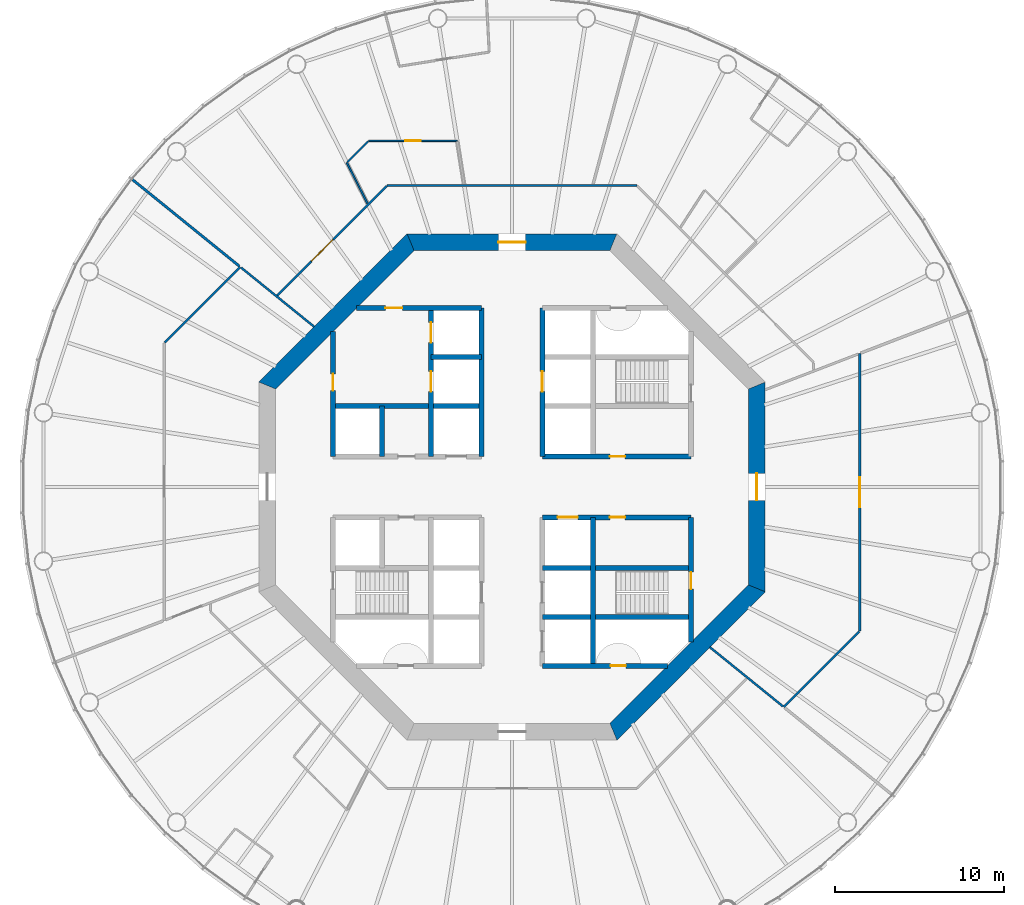
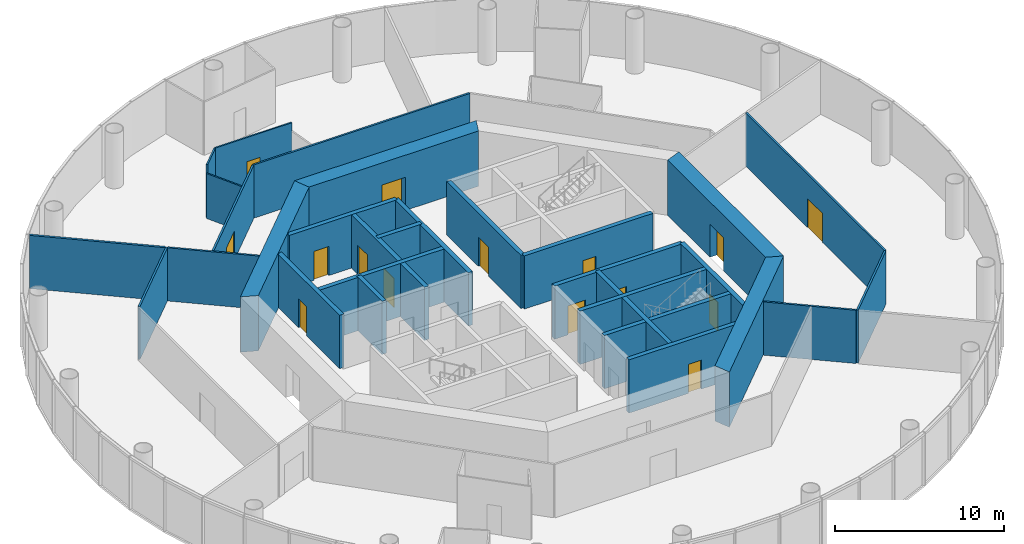
# One storey, part 4 of 12: 30 walls, 15 doors, 15 openings.
"""IFC4 building model written with IfcOpenShell, lengths in metres."""

from ifc_helpers import new_model, si_unit, direction, frame, frame_2d, origin, place, context, subcontext, project, spatial, polyline, rectangle, outline, extrude, material, layer, layer_set, type_object, element, fill, save


model = new_model("IFC4")

# Units and contexts
model_context = context("Model", 3, precision=1e-05, world=origin(), true_north=direction((0.0, 1.0)))
body_context = subcontext(model_context, "Body", "Model", "MODEL_VIEW")
ifc_project = project(units=[si_unit("LENGTHUNIT", "METRE"), si_unit("AREAUNIT", "SQUARE_METRE"), si_unit("VOLUMEUNIT", "CUBIC_METRE"), si_unit("PLANEANGLEUNIT", "RADIAN"), si_unit("MASSUNIT", "GRAM", prefix="KILO")], contexts=[model_context])

# Site, building, storey
site_placement = place(None, origin())
site = spatial("IfcSite", under=ifc_project, at=site_placement, CompositionType="ELEMENT")
building_placement = place(site_placement, origin())
building = spatial("IfcBuilding", under=site, at=building_placement, Name="Entoto Ring Tower", CompositionType="ELEMENT")
storey_placement = place(building_placement, frame((0.0, 0.0, 152.0)))
storey = spatial("IfcBuildingStorey", under=building, at=storey_placement, Name="L34", CompositionType="ELEMENT", Elevation=152.0)

# Wall, opening, door
ifc_material_1 = material(Name="Concrete C40/50", Category="concrete")
ifc_layer_1 = layer(ifc_material_1, 0.300048828125)
ifc_layer_set_1 = layer_set([ifc_layer_1], Name="Concrete C40/50")
wall_type_1 = type_object("IfcWallType", Name="Core enclosure wall 300 mm reinforced concrete", PredefinedType="SOLIDWALL", material=ifc_layer_set_1)
wall_1_placement = place(storey_placement, frame((100.60009765625, 70.801025390625, 0.0), z_axis=(0.0, 0.0, 1.0), x_axis=(0.0, 1.0, 0.0)))
wall_1 = element("IfcWall", 1, at=wall_1_placement, inside=storey, type_object=wall_type_1, Name="wall-L34-001", PredefinedType="SOLIDWALL", context=body_context, shape_type="SweptSolid", body=[
    extrude(rectangle(XDim=7.39892578125, YDim=0.300048828125, at=frame_2d((3.699462890625, 0.0))), origin(), (0.0, 0.0, 1.0), 3.85009765625),
])
opening_1_placement = place(wall_1_placement, frame((3.14892578125, 0.0, 0.0)))
opening_1 = element("IfcOpeningElement", 2, at=opening_1_placement, cuts=wall_1, Name="Opening K-17", PredefinedType="OPENING", context=body_context, shape_type="SweptSolid", body=[
    extrude(rectangle(XDim=1.0, YDim=2.10009765625, at=frame_2d((0.5, 1.050048828125))), frame((0.0, 0.16015625, 0.0), z_axis=(0.0, -1.0, 0.0), x_axis=(1.0, 0.0, 0.0)), (0.0, 0.0, 1.0), 0.320068359375),
])
ifc_material_2 = material(Name="Steel door leaf, fire rated", Category="steel")
ifc_layer_2 = layer(ifc_material_2, 0.050048828125)
ifc_layer_set_2 = layer_set([ifc_layer_2], Name="Steel door leaf, fire rated")
door_type_1 = type_object("IfcDoorType", Name="Fire door FD60 1000 x 2100 single leaf", OperationType="NOTDEFINED", PredefinedType="DOOR", material=ifc_layer_set_2)
door_1_placement = place(opening_1_placement, origin())
door_1 = element("IfcDoor", 3, at=door_1_placement, inside=storey, type_object=door_type_1, Name="Door K-17", OperationType="SINGLE_SWING_RIGHT", OverallHeight=2.10009765625, OverallWidth=1.0, PredefinedType="DOOR", context=body_context, shape_type="SweptSolid", body=[
    extrude(rectangle(XDim=1.0, YDim=2.10009765625, at=frame_2d((0.5, 1.050048828125))), frame((0.0, 0.02490234375, 0.0), z_axis=(0.0, -1.0, 0.0), x_axis=(1.0, 0.0, 0.0)), (0.0, 0.0, 1.0), 0.050048828125),
])
fill(opening_1, door_1)

# Wall
wall_2_placement = place(storey_placement, frame((94.800048828125, 69.39990234375, 0.0), z_axis=(0.0, 0.0, 1.0), x_axis=(0.0, 1.0, 0.0)))
element("IfcWall", 4, at=wall_2_placement, inside=storey, type_object=wall_type_1, Name="wall-L34-003", PredefinedType="SOLIDWALL", context=body_context, shape_type="SweptSolid", body=[
    extrude(rectangle(XDim=8.800048828125, YDim=0.300048828125, at=frame_2d((4.39990234375, 0.0))), origin(), (0.0, 0.0, 1.0), 3.85009765625),
])

# Wall, opening, door
wall_3_placement = place(storey_placement, frame((91.800048828125, 81.800048828125, 0.0), z_axis=(0.0, 0.0, 1.0), x_axis=(0.0, 1.0, 0.0)))
wall_3 = element("IfcWall", 5, at=wall_3_placement, inside=storey, type_object=wall_type_1, Name="wall-L34-006", PredefinedType="SOLIDWALL", context=body_context, shape_type="SweptSolid", body=[
    extrude(rectangle(XDim=8.800048828125, YDim=0.300048828125, at=frame_2d((4.39990234375, 0.0))), origin(), (0.0, 0.0, 1.0), 3.85009765625),
])
opening_2_placement = place(wall_3_placement, frame((3.85009765625, 0.0, 0.0)))
opening_2 = element("IfcOpeningElement", 6, at=opening_2_placement, cuts=wall_3, Name="Opening LD", PredefinedType="OPENING", context=body_context, shape_type="SweptSolid", body=[
    extrude(rectangle(XDim=1.199951171875, YDim=2.10009765625, at=frame_2d((0.60009765625, 1.050048828125))), frame((0.0, 0.16015625, 0.0), z_axis=(0.0, -1.0, 0.0), x_axis=(1.0, 0.0, 0.0)), (0.0, 0.0, 1.0), 0.320068359375),
])
ifc_material_3 = material(Name="Steel and glass door leaf", Category="steel")
ifc_layer_3 = layer(ifc_material_3, 0.050048828125)
ifc_layer_set_3 = layer_set([ifc_layer_3], Name="Steel and glass door leaf")
door_type_2 = type_object("IfcDoorType", Name="Landing door 1200 x 2100 sliding", OperationType="DOUBLE_DOOR_SLIDING", PredefinedType="DOOR", material=ifc_layer_set_3)
door_2_placement = place(opening_2_placement, origin())
door_2 = element("IfcDoor", 7, at=door_2_placement, inside=storey, type_object=door_type_2, Name="Landing door LB1-MR", OperationType="SLIDING_TO_RIGHT", OverallHeight=2.10009765625, OverallWidth=1.199951171875, PredefinedType="DOOR", context=body_context, shape_type="SweptSolid", body=[
    extrude(rectangle(XDim=1.199951171875, YDim=2.10009765625, at=frame_2d((0.60009765625, 1.050048828125))), frame((0.0, 0.02490234375, 0.0), z_axis=(0.0, -1.0, 0.0), x_axis=(1.0, 0.0, 0.0)), (0.0, 0.0, 1.0), 0.050048828125),
])
fill(opening_2, door_2)

# Wall
wall_4_placement = place(storey_placement, frame((88.199951171875, 81.800048828125, 0.0), z_axis=(0.0, 0.0, 1.0), x_axis=(0.0, 1.0, 0.0)))
element("IfcWall", 8, at=wall_4_placement, inside=storey, type_object=wall_type_1, Name="wall-L34-008", PredefinedType="SOLIDWALL", context=body_context, shape_type="SweptSolid", body=[
    extrude(rectangle(XDim=8.800048828125, YDim=0.300048828125, at=frame_2d((4.39990234375, 0.0))), origin(), (0.0, 0.0, 1.0), 3.85009765625),
])

# Wall, openings, doors
wall_5_placement = place(storey_placement, frame((85.199951171875, 81.800048828125, 0.0), z_axis=(0.0, 0.0, 1.0), x_axis=(0.0, 1.0, 0.0)))
wall_5 = element("IfcWall", 9, at=wall_5_placement, inside=storey, type_object=wall_type_1, Name="wall-L34-010", PredefinedType="SOLIDWALL", context=body_context, shape_type="SweptSolid", body=[
    extrude(rectangle(XDim=8.800048828125, YDim=0.300048828125, at=frame_2d((4.39990234375, 0.0))), origin(), (0.0, 0.0, 1.0), 3.85009765625),
])
opening_3_placement = place(wall_5_placement, frame((3.85009765625, 0.0, 0.0)))
opening_3 = element("IfcOpeningElement", 10, at=opening_3_placement, cuts=wall_5, Name="Opening LD", PredefinedType="OPENING", context=body_context, shape_type="SweptSolid", body=[
    extrude(rectangle(XDim=1.199951171875, YDim=2.10009765625, at=frame_2d((0.60009765625, 1.050048828125))), frame((0.0, 0.16015625, 0.0), z_axis=(0.0, -1.0, 0.0), x_axis=(1.0, 0.0, 0.0)), (0.0, 0.0, 1.0), 0.320068359375),
])
opening_4_placement = place(wall_5_placement, frame((6.75, 0.0, 0.0)))
opening_4 = element("IfcOpeningElement", 11, at=opening_4_placement, cuts=wall_5, Name="Opening LD", PredefinedType="OPENING", context=body_context, shape_type="SweptSolid", body=[
    extrude(rectangle(XDim=1.199951171875, YDim=2.10009765625, at=frame_2d((0.60009765625, 1.050048828125))), frame((0.0, 0.16015625, 0.0), z_axis=(0.0, -1.0, 0.0), x_axis=(1.0, 0.0, 0.0)), (0.0, 0.0, 1.0), 0.320068359375),
])
door_3_placement = place(opening_3_placement, origin())
door_3 = element("IfcDoor", 12, at=door_3_placement, inside=storey, type_object=door_type_2, Name="Landing door FF1", OperationType="SLIDING_TO_RIGHT", OverallHeight=2.10009765625, OverallWidth=1.199951171875, PredefinedType="DOOR", context=body_context, shape_type="SweptSolid", body=[
    extrude(rectangle(XDim=1.199951171875, YDim=2.10009765625, at=frame_2d((0.60009765625, 1.050048828125))), frame((0.0, 0.02490234375, 0.0), z_axis=(0.0, -1.0, 0.0), x_axis=(1.0, 0.0, 0.0)), (0.0, 0.0, 1.0), 0.050048828125),
])
fill(opening_3, door_3)
door_4_placement = place(opening_4_placement, origin())
door_4 = element("IfcDoor", 13, at=door_4_placement, inside=storey, type_object=door_type_2, Name="Landing door FF2", OperationType="SLIDING_TO_RIGHT", OverallHeight=2.10009765625, OverallWidth=1.199951171875, PredefinedType="DOOR", context=body_context, shape_type="SweptSolid", body=[
    extrude(rectangle(XDim=1.199951171875, YDim=2.10009765625, at=frame_2d((0.60009765625, 1.050048828125))), frame((0.0, 0.02490234375, 0.0), z_axis=(0.0, -1.0, 0.0), x_axis=(1.0, 0.0, 0.0)), (0.0, 0.0, 1.0), 0.050048828125),
])
fill(opening_4, door_4)

# Wall
wall_6_placement = place(storey_placement, frame((82.300048828125, 81.800048828125, 0.0), z_axis=(0.0, 0.0, 1.0), x_axis=(0.0, 1.0, 0.0)))
element("IfcWall", 14, at=wall_6_placement, inside=storey, type_object=wall_type_1, Name="wall-L34-012", PredefinedType="SOLIDWALL", context=body_context, shape_type="SweptSolid", body=[
    extrude(rectangle(XDim=3.0, YDim=0.300048828125, at=frame_2d((1.5, 0.0))), origin(), (0.0, 0.0, 1.0), 3.85009765625),
])

# Wall, opening, door
wall_7_placement = place(storey_placement, frame((79.39990234375, 81.800048828125, 0.0), z_axis=(0.0, 0.0, 1.0), x_axis=(0.0, 1.0, 0.0)))
wall_7 = element("IfcWall", 15, at=wall_7_placement, inside=storey, type_object=wall_type_1, Name="wall-L34-014", PredefinedType="SOLIDWALL", context=body_context, shape_type="SweptSolid", body=[
    extrude(rectangle(XDim=7.39892578125, YDim=0.300048828125, at=frame_2d((3.699462890625, 0.0))), origin(), (0.0, 0.0, 1.0), 3.85009765625),
])
opening_5_placement = place(wall_7_placement, frame((3.89990234375, 0.0, 0.0)))
opening_5 = element("IfcOpeningElement", 16, at=opening_5_placement, cuts=wall_7, Name="Opening K-67", PredefinedType="OPENING", context=body_context, shape_type="SweptSolid", body=[
    extrude(rectangle(XDim=1.0, YDim=2.10009765625, at=frame_2d((0.5, 1.050048828125))), frame((0.0, 0.16015625, 0.0), z_axis=(0.0, -1.0, 0.0), x_axis=(1.0, 0.0, 0.0)), (0.0, 0.0, 1.0), 0.320068359375),
])
door_5_placement = place(opening_5_placement, frame((1.0, 0.0, 0.0), z_axis=(0.0, 0.0, 1.0), x_axis=(-1.0, 0.0, 0.0)))
door_5 = element("IfcDoor", 17, at=door_5_placement, inside=storey, type_object=door_type_1, Name="Door K-67", OperationType="SINGLE_SWING_RIGHT", OverallHeight=2.10009765625, OverallWidth=1.0, PredefinedType="DOOR", context=body_context, shape_type="SweptSolid", body=[
    extrude(rectangle(XDim=1.0, YDim=2.10009765625, at=frame_2d((0.5, 1.050048828125))), frame((0.0, 0.02490234375, 0.0), z_axis=(0.0, -1.0, 0.0), x_axis=(1.0, 0.0, 0.0)), (0.0, 0.0, 1.0), 0.050048828125),
])
fill(opening_5, door_5)

wall_8_placement = place(storey_placement, frame((91.800048828125, 69.39990234375, 0.0), z_axis=(0.0, 0.0, 1.0), x_axis=(1.0, 0.0, 0.0)))
wall_8 = element("IfcWall", 18, at=wall_8_placement, inside=storey, type_object=wall_type_1, Name="wall-L34-016", PredefinedType="SOLIDWALL", context=body_context, shape_type="SweptSolid", body=[
    extrude(rectangle(XDim=7.39892578125, YDim=0.300048828125, at=frame_2d((3.699462890625, 0.0))), origin(), (0.0, 0.0, 1.0), 3.85009765625),
])
opening_6_placement = place(wall_8_placement, frame((4.050048828125, 0.0, 0.0)))
opening_6 = element("IfcOpeningElement", 19, at=opening_6_placement, cuts=wall_8, Name="Opening K-20", PredefinedType="OPENING", context=body_context, shape_type="SweptSolid", body=[
    extrude(rectangle(XDim=0.89990234375, YDim=2.10009765625, at=frame_2d((0.449951171875, 1.050048828125))), frame((0.0, 0.16015625, 0.0), z_axis=(0.0, -1.0, 0.0), x_axis=(1.0, 0.0, 0.0)), (0.0, 0.0, 1.0), 0.320068359375),
])
ifc_material_4 = material(Name="Steel door leaf, fire rated", Category="steel")
ifc_layer_4 = layer(ifc_material_4, 0.050048828125)
ifc_layer_set_4 = layer_set([ifc_layer_4], Name="Steel door leaf, fire rated")
door_type_3 = type_object("IfcDoorType", Name="Riser door FD60 900 x 2100 single leaf", OperationType="NOTDEFINED", PredefinedType="DOOR", material=ifc_layer_set_4)
door_6_placement = place(opening_6_placement, origin())
door_6 = element("IfcDoor", 20, at=door_6_placement, inside=storey, type_object=door_type_3, Name="Door K-20", OperationType="SINGLE_SWING_LEFT", OverallHeight=2.10009765625, OverallWidth=0.89990234375, PredefinedType="DOOR", context=body_context, shape_type="SweptSolid", body=[
    extrude(rectangle(XDim=0.89990234375, YDim=2.10009765625, at=frame_2d((0.449951171875, 1.050048828125))), frame((0.0, 0.02490234375, 0.0), z_axis=(0.0, -1.0, 0.0), x_axis=(1.0, 0.0, 0.0)), (0.0, 0.0, 1.0), 0.050048828125),
])
fill(opening_6, door_6)

# Walls
for number, where, z_axis, x_axis, name in (
    (21, (91.800048828125, 72.300048828125, 0.0), (0.0, 0.0, 1.0), (1.0, 0.0, 0.0), "wall-L34-018"),
    (22, (91.800048828125, 75.199951171875, 0.0), (0.0, 0.0, 1.0), (1.0, 0.0, 0.0), "wall-L34-020"),
):
    element("IfcWall", number, at=place(storey_placement, frame(where, z_axis=z_axis, x_axis=x_axis)), inside=storey, type_object=wall_type_1, Name=name, PredefinedType="SOLIDWALL", context=body_context, shape_type="SweptSolid", body=[
        extrude(rectangle(XDim=8.800048828125, YDim=0.300048828125, at=frame_2d((4.39990234375, 0.0))), origin(), (0.0, 0.0, 1.0), 3.85009765625),
    ])

# Wall, openings, doors
wall_9_placement = place(storey_placement, frame((91.800048828125, 78.199951171875, 0.0), z_axis=(0.0, 0.0, 1.0), x_axis=(1.0, 0.0, 0.0)))
wall_9 = element("IfcWall", 23, at=wall_9_placement, inside=storey, type_object=wall_type_1, Name="wall-L34-022", PredefinedType="SOLIDWALL", context=body_context, shape_type="SweptSolid", body=[
    extrude(rectangle(XDim=8.800048828125, YDim=0.300048828125, at=frame_2d((4.39990234375, 0.0))), origin(), (0.0, 0.0, 1.0), 3.85009765625),
])
opening_7_placement = place(wall_9_placement, frame((0.89990234375, 0.0, 0.0)))
opening_7 = element("IfcOpeningElement", 24, at=opening_7_placement, cuts=wall_9, Name="Opening LD", PredefinedType="OPENING", context=body_context, shape_type="SweptSolid", body=[
    extrude(rectangle(XDim=1.199951171875, YDim=2.10009765625, at=frame_2d((0.60009765625, 1.050048828125))), frame((0.0, 0.16015625, 0.0), z_axis=(0.0, -1.0, 0.0), x_axis=(1.0, 0.0, 0.0)), (0.0, 0.0, 1.0), 0.320068359375),
])
opening_8_placement = place(wall_9_placement, frame((4.0, 0.0, 0.0)))
opening_8 = element("IfcOpeningElement", 25, at=opening_8_placement, cuts=wall_9, Name="Opening K-12", PredefinedType="OPENING", context=body_context, shape_type="SweptSolid", body=[
    extrude(rectangle(XDim=0.89990234375, YDim=2.10009765625, at=frame_2d((0.449951171875, 1.050048828125))), frame((0.0, 0.16015625, 0.0), z_axis=(0.0, -1.0, 0.0), x_axis=(1.0, 0.0, 0.0)), (0.0, 0.0, 1.0), 0.320068359375),
])
ifc_material_5 = material(Name="Steel door leaf, fire rated", Category="steel")
ifc_layer_5 = layer(ifc_material_5, 0.050048828125)
ifc_layer_set_5 = layer_set([ifc_layer_5], Name="Steel door leaf, fire rated")
door_type_4 = type_object("IfcDoorType", Name="Core door 900 x 2100 single leaf", OperationType="NOTDEFINED", PredefinedType="DOOR", material=ifc_layer_set_5)
door_7_placement = place(opening_8_placement, frame((0.89990234375, 0.0, 0.0), z_axis=(0.0, 0.0, 1.0), x_axis=(-1.0, 0.0, 0.0)))
door_7 = element("IfcDoor", 26, at=door_7_placement, inside=storey, type_object=door_type_4, Name="Door K-12", OperationType="SINGLE_SWING_RIGHT", OverallHeight=2.10009765625, OverallWidth=0.89990234375, PredefinedType="DOOR", context=body_context, shape_type="SweptSolid", body=[
    extrude(rectangle(XDim=0.89990234375, YDim=2.10009765625, at=frame_2d((0.449951171875, 1.050048828125))), frame((0.0, 0.02490234375, 0.0), z_axis=(0.0, -1.0, 0.0), x_axis=(1.0, 0.0, 0.0)), (0.0, 0.0, 1.0), 0.050048828125),
])
fill(opening_8, door_7)
door_8_placement = place(opening_7_placement, origin())
door_8 = element("IfcDoor", 27, at=door_8_placement, inside=storey, type_object=door_type_2, Name="Landing door LB6-MR", OperationType="SLIDING_TO_LEFT", OverallHeight=2.10009765625, OverallWidth=1.199951171875, PredefinedType="DOOR", context=body_context, shape_type="SweptSolid", body=[
    extrude(rectangle(XDim=1.199951171875, YDim=2.10009765625, at=frame_2d((0.60009765625, 1.050048828125))), frame((0.0, 0.02490234375, 0.0), z_axis=(0.0, -1.0, 0.0), x_axis=(1.0, 0.0, 0.0)), (0.0, 0.0, 1.0), 0.050048828125),
])
fill(opening_7, door_8)

# Wall, opening, door
wall_10_placement = place(storey_placement, frame((91.800048828125, 81.800048828125, 0.0), z_axis=(0.0, 0.0, 1.0), x_axis=(1.0, 0.0, 0.0)))
wall_10 = element("IfcWall", 28, at=wall_10_placement, inside=storey, type_object=wall_type_1, Name="wall-L34-024", PredefinedType="SOLIDWALL", context=body_context, shape_type="SweptSolid", body=[
    extrude(rectangle(XDim=8.800048828125, YDim=0.300048828125, at=frame_2d((4.39990234375, 0.0))), origin(), (0.0, 0.0, 1.0), 3.85009765625),
])
opening_9_placement = place(wall_10_placement, frame((4.0, 0.0, 0.0)))
opening_9 = element("IfcOpeningElement", 29, at=opening_9_placement, cuts=wall_10, Name="Opening K-11", PredefinedType="OPENING", context=body_context, shape_type="SweptSolid", body=[
    extrude(rectangle(XDim=0.89990234375, YDim=2.10009765625, at=frame_2d((0.449951171875, 1.050048828125))), frame((0.0, 0.16015625, 0.0), z_axis=(0.0, -1.0, 0.0), x_axis=(1.0, 0.0, 0.0)), (0.0, 0.0, 1.0), 0.320068359375),
])
door_9_placement = place(opening_9_placement, origin())
door_9 = element("IfcDoor", 30, at=door_9_placement, inside=storey, type_object=door_type_4, Name="Door K-11", OperationType="SINGLE_SWING_LEFT", OverallHeight=2.10009765625, OverallWidth=0.89990234375, PredefinedType="DOOR", context=body_context, shape_type="SweptSolid", body=[
    extrude(rectangle(XDim=0.89990234375, YDim=2.10009765625, at=frame_2d((0.449951171875, 1.050048828125))), frame((0.0, 0.02490234375, 0.0), z_axis=(0.0, -1.0, 0.0), x_axis=(1.0, 0.0, 0.0)), (0.0, 0.0, 1.0), 0.050048828125),
])
fill(opening_9, door_9)

# Walls
wall_11_placement = place(storey_placement, frame((79.39990234375, 84.800048828125, 0.0), z_axis=(0.0, 0.0, 1.0), x_axis=(1.0, 0.0, 0.0)))
element("IfcWall", 31, at=wall_11_placement, inside=storey, type_object=wall_type_1, Name="wall-L34-025", PredefinedType="SOLIDWALL", context=body_context, shape_type="SweptSolid", body=[
    extrude(rectangle(XDim=8.800048828125, YDim=0.300048828125, at=frame_2d((4.39990234375, 0.0))), origin(), (0.0, 0.0, 1.0), 3.85009765625),
])
wall_12_placement = place(storey_placement, frame((85.199951171875, 87.699951171875, 0.0), z_axis=(0.0, 0.0, 1.0), x_axis=(1.0, 0.0, 0.0)))
element("IfcWall", 32, at=wall_12_placement, inside=storey, type_object=wall_type_1, Name="wall-L34-027", PredefinedType="SOLIDWALL", context=body_context, shape_type="SweptSolid", body=[
    extrude(rectangle(XDim=3.0, YDim=0.300048828125, at=frame_2d((1.5, 0.0))), origin(), (0.0, 0.0, 1.0), 3.85009765625),
])

# Wall, opening, door
wall_13_placement = place(storey_placement, frame((80.801025390625, 90.60009765625, 0.0), z_axis=(0.0, 0.0, 1.0), x_axis=(1.0, 0.0, 0.0)))
wall_13 = element("IfcWall", 33, at=wall_13_placement, inside=storey, type_object=wall_type_1, Name="wall-L34-029", PredefinedType="SOLIDWALL", context=body_context, shape_type="SweptSolid", body=[
    extrude(rectangle(XDim=7.39892578125, YDim=0.300048828125, at=frame_2d((3.699462890625, 0.0))), origin(), (0.0, 0.0, 1.0), 3.85009765625),
])
opening_10_placement = place(wall_13_placement, frame((1.698974609375, 0.0, 0.0)))
opening_10 = element("IfcOpeningElement", 34, at=opening_10_placement, cuts=wall_13, Name="Opening K-22", PredefinedType="OPENING", context=body_context, shape_type="SweptSolid", body=[
    extrude(rectangle(XDim=1.0, YDim=2.10009765625, at=frame_2d((0.5, 1.050048828125))), frame((0.0, 0.16015625, 0.0), z_axis=(0.0, -1.0, 0.0), x_axis=(1.0, 0.0, 0.0)), (0.0, 0.0, 1.0), 0.320068359375),
])
door_10_placement = place(opening_10_placement, frame((1.0, 0.0, 0.0), z_axis=(0.0, 0.0, 1.0), x_axis=(-1.0, 0.0, 0.0)))
door_10 = element("IfcDoor", 35, at=door_10_placement, inside=storey, type_object=door_type_1, Name="Door K-22", OperationType="SINGLE_SWING_LEFT", OverallHeight=2.10009765625, OverallWidth=1.0, PredefinedType="DOOR", context=body_context, shape_type="SweptSolid", body=[
    extrude(rectangle(XDim=1.0, YDim=2.10009765625, at=frame_2d((0.5, 1.050048828125))), frame((0.0, 0.02490234375, 0.0), z_axis=(0.0, -1.0, 0.0), x_axis=(1.0, 0.0, 0.0)), (0.0, 0.0, 1.0), 0.050048828125),
])
fill(opening_10, door_10)

ifc_material_6 = material(Name="Concrete C50/60", Category="concrete")
ifc_layer_6 = layer(ifc_material_6, 1.0)
ifc_layer_set_6 = layer_set([ifc_layer_6], Name="Concrete C50/60")
wall_type_2 = type_object("IfcWallType", Name="Core shear wall 1000 mm reinforced concrete C50/60", PredefinedType="SHEAR", material=ifc_layer_set_6)
wall_14_placement = place(storey_placement, frame((104.5, 73.993896484375, 0.0), z_axis=(0.0, 0.0, 1.0), x_axis=(0.0, 1.0, 0.0)))
wall_14 = element("IfcWall", 36, at=wall_14_placement, inside=storey, type_object=wall_type_2, Name="wall-L34-core-0", PredefinedType="SHEAR", context=body_context, shape_type="SweptSolid", body=[
    extrude(outline(polyline([(-0.20703125, -0.5), (12.21923828125, -0.5), (11.80517578125, 0.5), (0.20703125, 0.5), (-0.20703125, -0.5)])), origin(), (0.0, 0.0, 1.0), 4.0),
])
opening_11_placement = place(wall_14_placement, frame((5.2060546875, 0.0, 0.0)))
opening_11 = element("IfcOpeningElement", 37, at=opening_11_placement, cuts=wall_14, Name="Opening K-01", PredefinedType="OPENING", context=body_context, shape_type="SweptSolid", body=[
    extrude(rectangle(XDim=1.60009765625, YDim=2.39990234375, at=frame_2d((0.800048828125, 1.199951171875))), frame((0.0, 0.510009765625, 0.0), z_axis=(0.0, -1.0, 0.0), x_axis=(1.0, 0.0, 0.0)), (0.0, 0.0, 1.0), 1.02001953125),
])
ifc_material_7 = material(Name="Steel door leaf, fire rated", Category="steel")
ifc_layer_7 = layer(ifc_material_7, 0.050048828125)
ifc_layer_set_7 = layer_set([ifc_layer_7], Name="Steel door leaf, fire rated")
door_type_5 = type_object("IfcDoorType", Name="Entrance door FD60 1600 x 2400 double leaf", OperationType="DOUBLE_DOOR_SINGLE_SWING", PredefinedType="DOOR", material=ifc_layer_set_7)
door_11_placement = place(opening_11_placement, origin())
door_11 = element("IfcDoor", 38, at=door_11_placement, inside=storey, type_object=door_type_5, Name="Entrance door K-01", OperationType="DOUBLE_DOOR_SINGLE_SWING", OverallHeight=2.39990234375, OverallWidth=1.60009765625, PredefinedType="DOOR", context=body_context, shape_type="SweptSolid", body=[
    extrude(rectangle(XDim=1.60009765625, YDim=2.39990234375, at=frame_2d((0.800048828125, 1.199951171875))), frame((0.0, 0.02490234375, 0.0), z_axis=(0.0, -1.0, 0.0), x_axis=(1.0, 0.0, 0.0)), (0.0, 0.0, 1.0), 0.050048828125),
])
fill(opening_11, door_11)

wall_15_placement = place(storey_placement, frame((96.006103515625, 94.5, 0.0), z_axis=(0.0, 0.0, 1.0), x_axis=(-1.0, 0.0, 0.0)))
wall_15 = element("IfcWall", 39, at=wall_15_placement, inside=storey, type_object=wall_type_2, Name="wall-L34-core-2", PredefinedType="SHEAR", context=body_context, shape_type="SweptSolid", body=[
    extrude(outline(polyline([(-0.20703125, -0.5), (12.21923828125, -0.5), (11.80517578125, 0.5), (0.20703125, 0.5), (-0.20703125, -0.5)])), origin(), (0.0, 0.0, 1.0), 4.0),
])
opening_12_placement = place(wall_15_placement, frame((5.2060546875, 0.0, 0.0)))
opening_12 = element("IfcOpeningElement", 40, at=opening_12_placement, cuts=wall_15, Name="Opening K-02", PredefinedType="OPENING", context=body_context, shape_type="SweptSolid", body=[
    extrude(rectangle(XDim=1.60009765625, YDim=2.39990234375, at=frame_2d((0.800048828125, 1.199951171875))), frame((0.0, 0.510009765625, 0.0), z_axis=(0.0, -1.0, 0.0), x_axis=(1.0, 0.0, 0.0)), (0.0, 0.0, 1.0), 1.02001953125),
])
door_12_placement = place(opening_12_placement, origin())
door_12 = element("IfcDoor", 41, at=door_12_placement, inside=storey, type_object=door_type_5, Name="Entrance door K-02", OperationType="DOUBLE_DOOR_SINGLE_SWING", OverallHeight=2.39990234375, OverallWidth=1.60009765625, PredefinedType="DOOR", context=body_context, shape_type="SweptSolid", body=[
    extrude(rectangle(XDim=1.60009765625, YDim=2.39990234375, at=frame_2d((0.800048828125, 1.199951171875))), frame((0.0, 0.02490234375, 0.0), z_axis=(0.0, -1.0, 0.0), x_axis=(1.0, 0.0, 0.0)), (0.0, 0.0, 1.0), 0.050048828125),
])
fill(opening_12, door_12)

# Walls
for number, where, z_axis, x_axis, name in (
    (42, (83.993896484375, 94.5, 0.0), (0.0, 0.0, 1.0), (-0.707106781187, -0.707106781187, 0.0), "wall-L34-core-3"),
    (43, (96.006103515625, 65.5, 0.0), (0.0, 0.0, 1.0), (0.707106781187, 0.707106781187, 0.0), "wall-L34-core-7"),
):
    element("IfcWall", number, at=place(storey_placement, frame(where, z_axis=z_axis, x_axis=x_axis)), inside=storey, type_object=wall_type_2, Name=name, PredefinedType="SHEAR", context=body_context, shape_type="SweptSolid", body=[
        extrude(outline(polyline([(-0.20703125, -0.5), (12.21923828125, -0.5), (11.80517578125, 0.5), (0.20703125, 0.5), (-0.20703125, -0.5)])), origin(), (0.0, 0.0, 1.0), 4.0),
    ])

# Wall, opening, door
ifc_material_8 = material(Name="Fire-resisting plasterboard on steel studs", Category="steel")
ifc_layer_8 = layer(ifc_material_8, 0.125)
ifc_layer_set_8 = layer_set([ifc_layer_8], Name="Fire-resisting plasterboard on steel studs")
wall_type_3 = type_object("IfcWallType", Name="Corridor wall 125 mm one-hour plasterboard on steel studs", PredefinedType="PARTITIONING", material=ifc_layer_set_8)
wall_16_placement = place(storey_placement, frame((110.60009765625, 71.46728515625, 0.0), z_axis=(0.0, 0.0, 1.0), x_axis=(0.0, 1.0, 0.0)))
wall_16 = element("IfcWall", 44, at=wall_16_placement, inside=storey, type_object=wall_type_3, Name="partition-L34-002", PredefinedType="PARTITIONING", context=body_context, shape_type="SweptSolid", body=[
    extrude(rectangle(XDim=16.4404296875, YDim=0.125, at=frame_2d((8.22021484375, 0.0))), origin(), (0.0, 0.0, 1.0), 3.85009765625),
])
opening_13_placement = place(wall_16_placement, frame((7.3203125, 0.0, 0.0)))
opening_13 = element("IfcOpeningElement", 45, at=opening_13_placement, cuts=wall_16, Name="Opening A15-D01", PredefinedType="OPENING", context=body_context, shape_type="SweptSolid", body=[
    extrude(rectangle(XDim=1.800048828125, YDim=2.10009765625, at=frame_2d((0.89990234375, 1.050048828125))), frame((0.0, 0.072509765625, 0.0), z_axis=(0.0, -1.0, 0.0), x_axis=(1.0, 0.0, 0.0)), (0.0, 0.0, 1.0), 0.14501953125),
])
ifc_material_9 = material(Name="Fire-resisting timber door set", Category="wood")
door_type_6 = type_object("IfcDoorType", Name="Door 1800 x 2100 double leaf FD30S fire door", OperationType="DOUBLE_DOOR_SINGLE_SWING", PredefinedType="DOOR", material=ifc_material_9)
door_13_placement = place(opening_13_placement, frame((1.800048828125, 0.0, 0.0), z_axis=(0.0, 0.0, 1.0), x_axis=(-1.0, 0.0, 0.0)))
door_13 = element("IfcDoor", 46, at=door_13_placement, inside=storey, type_object=door_type_6, Name="Door A15-D01", OperationType="DOUBLE_DOOR_SINGLE_SWING", OverallHeight=2.10009765625, OverallWidth=1.800048828125, PredefinedType="DOOR", context=body_context, shape_type="SweptSolid", body=[
    extrude(rectangle(XDim=1.800048828125, YDim=2.10009765625, at=frame_2d((0.89990234375, 1.050048828125))), frame((0.0, 0.02490234375, 0.0), z_axis=(0.0, -1.0, 0.0), x_axis=(1.0, 0.0, 0.0)), (0.0, 0.0, 1.0), 0.050048828125),
])
fill(opening_13, door_13)

# Wall
wall_17_placement = place(storey_placement, frame((82.60107421875, 97.862548828125, 0.0), z_axis=(0.0, 0.0, 1.0), x_axis=(1.0, 0.0, 0.0)))
element("IfcWall", 47, at=wall_17_placement, inside=storey, type_object=wall_type_3, Name="partition-L34-004", PredefinedType="PARTITIONING", context=body_context, shape_type="SweptSolid", body=[
    extrude(rectangle(XDim=14.7978515625, YDim=0.125, at=frame_2d((7.39892578125, 0.0))), origin(), (0.0, 0.0, 1.0), 3.85009765625),
])

# Wall, opening, door
wall_18_placement = place(storey_placement, frame((76.0908203125, 91.352294921875, 0.0), z_axis=(0.0, 0.0, 1.0), x_axis=(0.707120103343, 0.707093458779, 0.0)))
wall_18 = element("IfcWall", 48, at=wall_18_placement, inside=storey, type_object=wall_type_3, Name="partition-L34-007", PredefinedType="PARTITIONING", context=body_context, shape_type="SweptSolid", body=[
    extrude(rectangle(XDim=9.162841796875, YDim=0.125, at=frame_2d((4.58154296875, 0.0))), origin(), (0.0, 0.0, 1.0), 3.85009765625),
])
opening_14_placement = place(wall_18_placement, frame((2.871337890625, 0.0, 0.0)))
opening_14 = element("IfcOpeningElement", 49, at=opening_14_placement, cuts=wall_18, Name="Opening A15-D06", PredefinedType="OPENING", context=body_context, shape_type="SweptSolid", body=[
    extrude(rectangle(XDim=1.800048828125, YDim=2.10009765625, at=frame_2d((0.89990234375, 1.050048828125))), frame((0.0, 0.072509765625, 0.0), z_axis=(0.0, -1.0, 0.0), x_axis=(1.0, 0.0, 0.0)), (0.0, 0.0, 1.0), 0.14501953125),
])
door_14_placement = place(opening_14_placement, origin())
door_14 = element("IfcDoor", 50, at=door_14_placement, inside=storey, type_object=door_type_6, Name="Door A15-D06", OperationType="DOUBLE_DOOR_SINGLE_SWING", OverallHeight=2.10009765625, OverallWidth=1.800048828125, PredefinedType="DOOR", context=body_context, shape_type="SweptSolid", body=[
    extrude(rectangle(XDim=1.800048828125, YDim=2.10009765625, at=frame_2d((0.89990234375, 1.050048828125))), frame((0.0, 0.02490234375, 0.0), z_axis=(0.0, -1.0, 0.0), x_axis=(1.0, 0.0, 0.0)), (0.0, 0.0, 1.0), 0.050048828125),
])
fill(opening_14, door_14)

# Walls
for number, where, z_axis, x_axis, name in (
    (51, (69.43115234375, 88.56396484375, 0.0), (0.0, 0.0, 1.0), (0.707106781187, 0.707106781187, 0.0), "partition-L34-009"),
    (52, (106.097412109375, 66.964599609375, 0.0), (0.0, 0.0, 1.0), (0.707106781187, 0.707106781187, 0.0), "partition-L34-010"),
):
    element("IfcWall", number, at=place(storey_placement, frame(where, z_axis=z_axis, x_axis=x_axis)), inside=storey, type_object=wall_type_3, Name=name, PredefinedType="PARTITIONING", context=body_context, shape_type="SweptSolid", body=[
        extrude(rectangle(XDim=6.323486328125, YDim=0.125, at=frame_2d((3.16162109375, 0.0))), origin(), (0.0, 0.0, 1.0), 3.85009765625),
    ])
for number, where, z_axis, x_axis, name in (
    (53, (78.278564453125, 89.49169921875, 0.0), (0.0, 0.0, 1.0), (-0.777129489168, 0.629340732089, 0.0), "partition-L34-013"),
    (54, (106.049072265625, 67.003662109375, 0.0), (0.0, 0.0, 1.0), (-0.777129489168, 0.629340732089, 0.0), "partition-L34-014"),
):
    element("IfcWall", number, at=place(storey_placement, frame(where, z_axis=z_axis, x_axis=x_axis)), inside=storey, type_object=wall_type_3, Name=name, PredefinedType="PARTITIONING", context=body_context, shape_type="SweptSolid", body=[
        extrude(rectangle(XDim=5.56884765625, YDim=0.125, at=frame_2d((2.784423828125, 0.0))), origin(), (0.0, 0.0, 1.0), 3.85009765625),
    ])

# Wall, opening, door
ifc_material_10 = material(Name="Plasterboard on steel studs", Category="steel")
ifc_layer_9 = layer(ifc_material_10, 0.10009765625)
ifc_layer_set_9 = layer_set([ifc_layer_9], Name="Plasterboard on steel studs")
wall_type_4 = type_object("IfcWallType", Name="Partition 100 mm plasterboard on steel studs", PredefinedType="PARTITIONING", material=ifc_layer_set_9)
wall_19_placement = place(storey_placement, frame((81.507568359375, 100.50244140625, 0.0), z_axis=(0.0, 0.0, 1.0), x_axis=(1.0, 0.0, 0.0)))
wall_19 = element("IfcWall", 55, at=wall_19_placement, inside=storey, type_object=wall_type_4, Name="partition-L34-023", PredefinedType="PARTITIONING", context=body_context, shape_type="SweptSolid", body=[
    extrude(rectangle(XDim=5.2451171875, YDim=0.10009765625, at=frame_2d((2.62255859375, 0.0))), origin(), (0.0, 0.0, 1.0), 3.85009765625),
])
opening_15_placement = place(wall_19_placement, frame((2.172607421875, 0.0, 0.0)))
opening_15 = element("IfcOpeningElement", 56, at=opening_15_placement, cuts=wall_19, Name="Opening A15-D07", PredefinedType="OPENING", context=body_context, shape_type="SweptSolid", body=[
    extrude(rectangle(XDim=0.89990234375, YDim=2.10009765625, at=frame_2d((0.449951171875, 1.050048828125))), frame((0.0, 0.06005859375, 0.0), z_axis=(0.0, -1.0, 0.0), x_axis=(1.0, 0.0, 0.0)), (0.0, 0.0, 1.0), 0.1201171875),
])
ifc_material_11 = material(Name="Veneered timber door leaf in timber frame", Category="wood")
door_type_7 = type_object("IfcDoorType", Name="Door 900 x 2100 single leaf timber veneer", OperationType="NOTDEFINED", PredefinedType="DOOR", material=ifc_material_11)
door_15_placement = place(opening_15_placement, frame((0.89990234375, 0.0, 0.0), z_axis=(0.0, 0.0, 1.0), x_axis=(-1.0, 0.0, 0.0)))
door_15 = element("IfcDoor", 57, at=door_15_placement, inside=storey, type_object=door_type_7, Name="Door A15-D07", OperationType="SINGLE_SWING_LEFT", OverallHeight=2.10009765625, OverallWidth=0.89990234375, PredefinedType="DOOR", context=body_context, shape_type="SweptSolid", body=[
    extrude(rectangle(XDim=0.89990234375, YDim=2.10009765625, at=frame_2d((0.449951171875, 1.050048828125))), frame((0.0, 0.02490234375, 0.0), z_axis=(0.0, -1.0, 0.0), x_axis=(1.0, 0.0, 0.0)), (0.0, 0.0, 1.0), 0.050048828125),
])
fill(opening_15, door_15)

# Walls
wall_20_placement = place(storey_placement, frame((80.24658203125, 99.241455078125, 0.0), z_axis=(0.0, 0.0, 1.0), x_axis=(0.707036953825, 0.707176601653, 0.0)))
element("IfcWall", 58, at=wall_20_placement, inside=storey, type_object=wall_type_4, Name="partition-L34-040", PredefinedType="PARTITIONING", context=body_context, shape_type="SweptSolid", body=[
    extrude(rectangle(XDim=1.748291015625, YDim=0.10009765625, at=frame_2d((0.8740234375, 0.0))), origin(), (0.0, 0.0, 1.0), 3.85009765625),
])
ifc_material_12 = material(Name="Plasterboard on steel studs", Category="steel")
ifc_layer_10 = layer(ifc_material_12, 0.10009765625)
ifc_layer_set_10 = layer_set([ifc_layer_10], Name="Plasterboard on steel studs")
wall_type_5 = type_object("IfcWallType", Name="Partition 100 mm plasterboard on steel studs, 3250 mm high", PredefinedType="PARTITIONING", material=ifc_layer_set_10)
wall_21_placement = place(storey_placement, frame((81.43603515625, 96.8076171875, 0.0), z_axis=(0.0, 0.0, 1.0), x_axis=(-0.453943430004, 0.89103050585, 0.0)))
element("IfcWall", 59, at=wall_21_placement, inside=storey, type_object=wall_type_5, Name="partition-L34-032", PredefinedType="PARTITIONING", context=body_context, shape_type="SweptSolid", body=[
    extrude(rectangle(XDim=2.69384765625, YDim=0.10009765625, at=frame_2d((1.346923828125, 0.0))), origin(), (0.0, 0.0, 1.0), 3.25),
])
ifc_material_13 = material(Name="Fire-resisting acoustic plasterboard on steel studs", Category="steel")
ifc_layer_11 = layer(ifc_material_13, 0.14990234375)
ifc_layer_set_11 = layer_set([ifc_layer_11], Name="Fire-resisting acoustic plasterboard on steel studs")
wall_type_6 = type_object("IfcWallType", Name="Party wall 150 mm one-hour acoustic plasterboard on steel studs", PredefinedType="PARTITIONING", material=ifc_layer_set_11)
wall_22_placement = place(storey_placement, frame((73.84765625, 93.079833984375, 0.0), z_axis=(0.0, 0.0, 1.0), x_axis=(-0.777143081467, 0.629323947524, 0.0)))
element("IfcWall", 60, at=wall_22_placement, inside=storey, type_object=wall_type_6, Name="partition-L34-018", PredefinedType="PARTITIONING", context=body_context, shape_type="SweptSolid", body=[
    extrude(rectangle(XDim=8.15576171875, YDim=0.14990234375, at=frame_2d((4.077880859375, 0.0))), origin(), (0.0, 0.0, 1.0), 3.85009765625),
])

save(model, "model.ifc")
